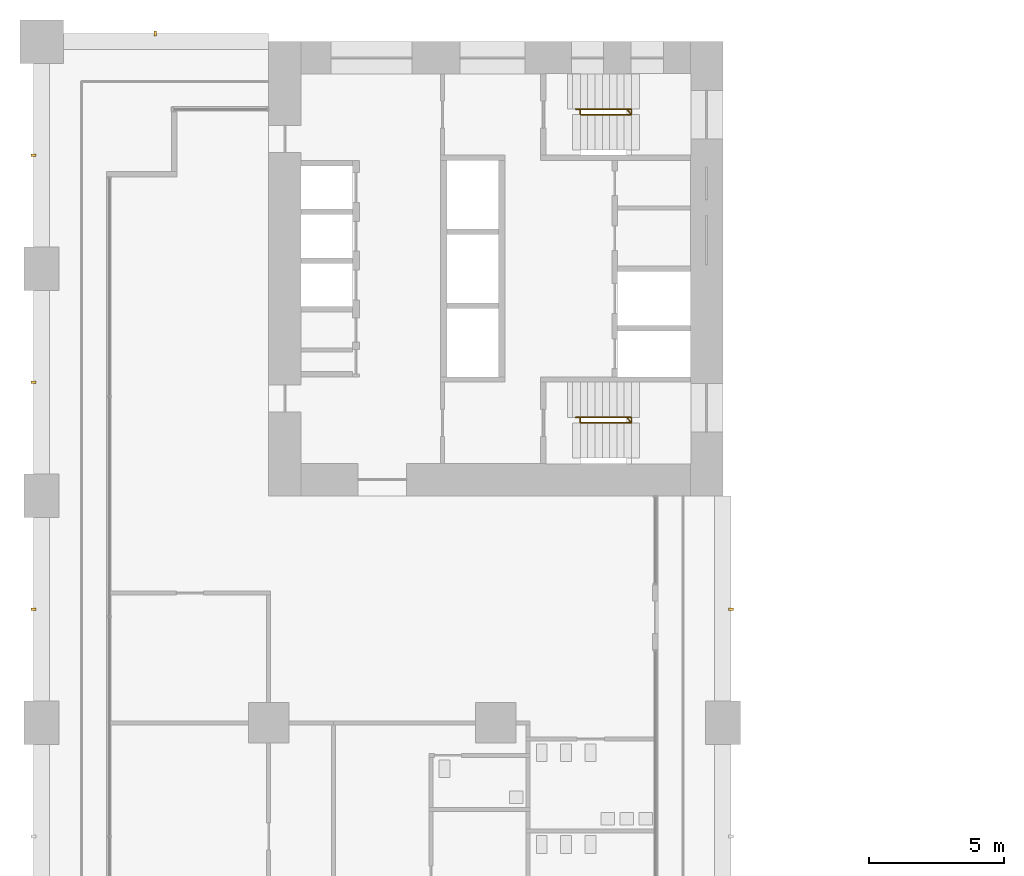
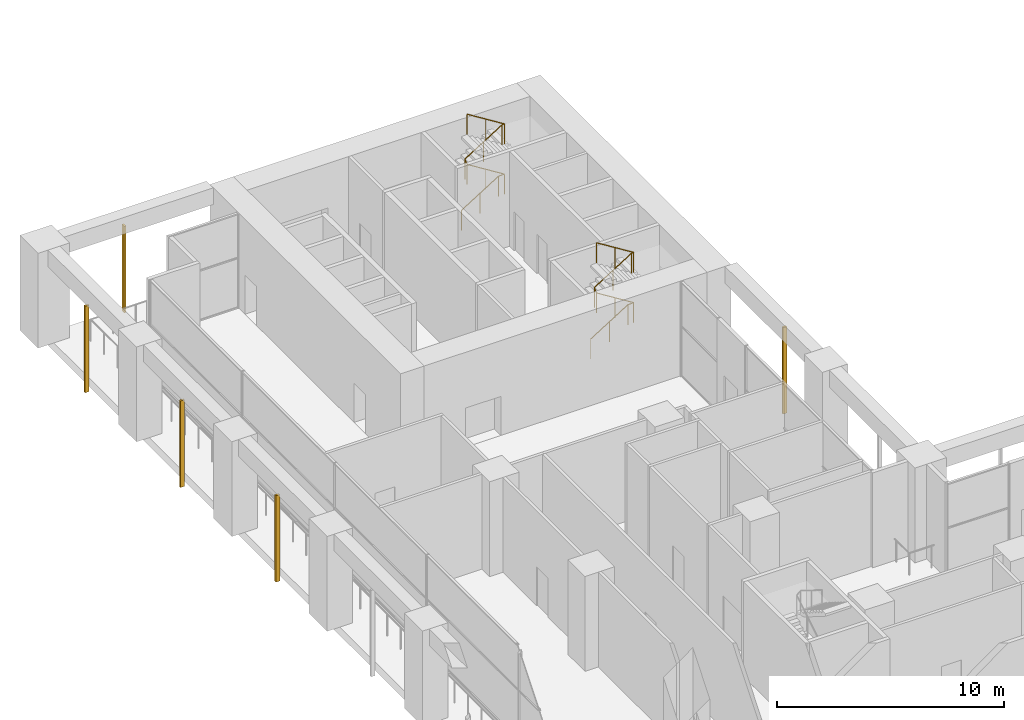
# One storey, part 29 of 33: 5 shading devices, 2 railings.
"""IFC4 building model written with IfcOpenShell, lengths in metres."""

from ifc_helpers import new_model, si_unit, direction, frame, origin, origin_2d, place, context, subcontext, project, spatial, rectangle, circle, extrude, material, material_profile, profile_set, type_object, element, save


model = new_model("IFC4")

# Units and contexts
model_context = context("Model", 3, precision=1e-05, world=origin(), true_north=direction((0.0, 1.0)))
body_context = subcontext(model_context, "Body", "Model", "MODEL_VIEW")
ifc_project = project(units=[si_unit("LENGTHUNIT", "METRE"), si_unit("AREAUNIT", "SQUARE_METRE"), si_unit("VOLUMEUNIT", "CUBIC_METRE"), si_unit("PLANEANGLEUNIT", "RADIAN"), si_unit("MASSUNIT", "GRAM", prefix="KILO")], contexts=[model_context])

# Site, building, storey
site_placement = place(None, origin())
site = spatial("IfcSite", under=ifc_project, at=site_placement, CompositionType="ELEMENT")
building_placement = place(site_placement, origin())
building = spatial("IfcBuilding", under=site, at=building_placement, Name="Vermilion Gate Residences", CompositionType="ELEMENT")
storey_placement = place(building_placement, frame((0.0, 0.0, 14.39990234375)))
storey = spatial("IfcBuildingStorey", under=building, at=storey_placement, Name="L02", CompositionType="ELEMENT", Elevation=14.39990234375)

# Railings
ifc_material_1 = material(Name="Steel S355", Category="steel")
railing_type = type_object("IfcRailingType", Name="STAIR GUARD 1100 STEEL", PredefinedType="GUARDRAIL", material=ifc_material_1)
railing_1_placement = place(storey_placement, frame((19.75, 56.300048828125, 0.1689453125)))
element("IfcRailing", 1, at=railing_1_placement, inside=storey, type_object=railing_type, Name="Stair well guard STB1-02", PredefinedType="GUARDRAIL", context=body_context, shape_type="SweptSolid", body=[
    extrude(circle(Radius=0.02392578125, at=origin_2d()), frame((0.0, 0.0, 1.076171875), z_axis=(0.848004458282, 0.0, 0.529989093033), x_axis=(0.0, 1.0, 0.0)), (0.0, 0.0, 1.0), 2.228515625),
    extrude(circle(Radius=0.02392578125, at=origin_2d()), frame((1.889892578125, 0.0, 2.25732421875), z_axis=(0.567208205734, -0.629462764899, 0.531085189921), x_axis=(0.74288808428, 0.669415636384, 0.0)), (0.0, 0.0, 1.0), 0.317626953125),
    extrude(circle(Radius=0.02392578125, at=origin_2d()), frame((2.070068359375, -0.199951171875, 2.42578125), z_axis=(-0.847985996966, 0.0, 0.530018630757), x_axis=(0.0, -1.0, 0.0)), (0.0, 0.0, 1.0), 2.22900390625),
    extrude(circle(Radius=0.02392578125, at=origin_2d()), frame((0.179931640625, -0.199951171875, 3.607421875), z_axis=(0.0, 0.764305856904, 0.644853903688), x_axis=(-1.0, 0.0, 0.0)), (0.0, 0.0, 1.0), 0.26171875),
    extrude(circle(Radius=0.02392578125, at=origin_2d()), frame((0.179931640625, 0.0, 3.77587890625), z_axis=(0.848035224522, 0.0, 0.529939862598), x_axis=(0.0, 1.0, 0.0)), (0.0, 0.0, 1.0), 2.228759765625),
    extrude(circle(Radius=0.02392578125, at=origin_2d()), frame((2.070068359375, 0.0, 4.95703125), z_axis=(0.0, -0.764305856904, 0.644853903688), x_axis=(1.0, 0.0, 0.0)), (0.0, 0.0, 1.0), 0.26171875),
    extrude(circle(Radius=0.02392578125, at=origin_2d()), frame((2.070068359375, -0.199951171875, 5.1259765625), z_axis=(-0.847985996966, 0.0, 0.530018630757), x_axis=(0.0, -1.0, 0.0)), (0.0, 0.0, 1.0), 2.22900390625),
    extrude(circle(Radius=0.02099609375, at=origin_2d()), origin(), (0.0, 0.0, 1.0), 1.052001953125),
    extrude(circle(Radius=0.02099609375, at=origin_2d()), frame((0.94482421875, 0.0, 0.590576171875)), (0.0, 0.0, 1.0), 1.052001953125),
    extrude(circle(Radius=0.02099609375, at=origin_2d()), frame((1.889892578125, 0.0, 1.18115234375)), (0.0, 0.0, 1.0), 1.052001953125),
    extrude(circle(Radius=0.02099609375, at=origin_2d()), frame((2.070068359375, -0.199951171875, 1.349853515625)), (0.0, 0.0, 1.0), 1.052001953125),
    extrude(circle(Radius=0.02099609375, at=origin_2d()), frame((1.125, -0.199951171875, 1.9404296875)), (0.0, 0.0, 1.0), 1.052001953125),
    extrude(circle(Radius=0.02099609375, at=origin_2d()), frame((0.179931640625, -0.199951171875, 2.53125)), (0.0, 0.0, 1.0), 1.052001953125),
    extrude(circle(Radius=0.02099609375, at=origin_2d()), frame((0.179931640625, 0.0, 2.699951171875)), (0.0, 0.0, 1.0), 1.052001953125),
    extrude(circle(Radius=0.02099609375, at=origin_2d()), frame((1.125, 0.0, 3.29052734375)), (0.0, 0.0, 1.0), 1.052001953125),
    extrude(circle(Radius=0.02099609375, at=origin_2d()), frame((2.070068359375, 0.0, 3.881103515625)), (0.0, 0.0, 1.0), 1.052001953125),
    extrude(circle(Radius=0.02099609375, at=origin_2d()), frame((2.070068359375, -0.199951171875, 4.0498046875)), (0.0, 0.0, 1.0), 1.052001953125),
    extrude(circle(Radius=0.02099609375, at=origin_2d()), frame((1.125, -0.199951171875, 4.640625)), (0.0, 0.0, 1.0), 1.052001953125),
    extrude(circle(Radius=0.02099609375, at=origin_2d()), frame((0.179931640625, -0.199951171875, 5.231201171875)), (0.0, 0.0, 1.0), 1.052001953125),
])
railing_2_placement = place(storey_placement, frame((19.75, 44.89990234375, 0.1689453125)))
element("IfcRailing", 2, at=railing_2_placement, inside=storey, type_object=railing_type, Name="Stair well guard STB2-02", PredefinedType="GUARDRAIL", context=body_context, shape_type="SweptSolid", body=[
    extrude(circle(Radius=0.02392578125, at=origin_2d()), frame((0.0, 0.0, 1.076171875), z_axis=(0.848004458282, 0.0, 0.529989093033), x_axis=(0.0, 1.0, 0.0)), (0.0, 0.0, 1.0), 2.228515625),
    extrude(circle(Radius=0.02392578125, at=origin_2d()), frame((1.889892578125, 0.0, 2.25732421875), z_axis=(0.567208205734, -0.629462764899, 0.531085189921), x_axis=(0.74288808428, 0.669415636384, 0.0)), (0.0, 0.0, 1.0), 0.317626953125),
    extrude(circle(Radius=0.02392578125, at=origin_2d()), frame((2.070068359375, -0.199951171875, 2.42578125), z_axis=(-0.847985996966, 0.0, 0.530018630757), x_axis=(0.0, -1.0, 0.0)), (0.0, 0.0, 1.0), 2.22900390625),
    extrude(circle(Radius=0.02392578125, at=origin_2d()), frame((0.179931640625, -0.199951171875, 3.607421875), z_axis=(0.0, 0.764305856904, 0.644853903688), x_axis=(-1.0, 0.0, 0.0)), (0.0, 0.0, 1.0), 0.26171875),
    extrude(circle(Radius=0.02392578125, at=origin_2d()), frame((0.179931640625, 0.0, 3.77587890625), z_axis=(0.848035224522, 0.0, 0.529939862598), x_axis=(0.0, 1.0, 0.0)), (0.0, 0.0, 1.0), 2.228759765625),
    extrude(circle(Radius=0.02392578125, at=origin_2d()), frame((2.070068359375, 0.0, 4.95703125), z_axis=(0.0, -0.764305856904, 0.644853903688), x_axis=(1.0, 0.0, 0.0)), (0.0, 0.0, 1.0), 0.26171875),
    extrude(circle(Radius=0.02392578125, at=origin_2d()), frame((2.070068359375, -0.199951171875, 5.1259765625), z_axis=(-0.847985996966, 0.0, 0.530018630757), x_axis=(0.0, -1.0, 0.0)), (0.0, 0.0, 1.0), 2.22900390625),
    extrude(circle(Radius=0.02099609375, at=origin_2d()), origin(), (0.0, 0.0, 1.0), 1.052001953125),
    extrude(circle(Radius=0.02099609375, at=origin_2d()), frame((0.94482421875, 0.0, 0.590576171875)), (0.0, 0.0, 1.0), 1.052001953125),
    extrude(circle(Radius=0.02099609375, at=origin_2d()), frame((1.889892578125, 0.0, 1.18115234375)), (0.0, 0.0, 1.0), 1.052001953125),
    extrude(circle(Radius=0.02099609375, at=origin_2d()), frame((2.070068359375, -0.199951171875, 1.349853515625)), (0.0, 0.0, 1.0), 1.052001953125),
    extrude(circle(Radius=0.02099609375, at=origin_2d()), frame((1.125, -0.199951171875, 1.9404296875)), (0.0, 0.0, 1.0), 1.052001953125),
    extrude(circle(Radius=0.02099609375, at=origin_2d()), frame((0.179931640625, -0.199951171875, 2.53125)), (0.0, 0.0, 1.0), 1.052001953125),
    extrude(circle(Radius=0.02099609375, at=origin_2d()), frame((0.179931640625, 0.0, 2.699951171875)), (0.0, 0.0, 1.0), 1.052001953125),
    extrude(circle(Radius=0.02099609375, at=origin_2d()), frame((1.125, 0.0, 3.29052734375)), (0.0, 0.0, 1.0), 1.052001953125),
    extrude(circle(Radius=0.02099609375, at=origin_2d()), frame((2.070068359375, 0.0, 3.881103515625)), (0.0, 0.0, 1.0), 1.052001953125),
    extrude(circle(Radius=0.02099609375, at=origin_2d()), frame((2.070068359375, -0.199951171875, 4.0498046875)), (0.0, 0.0, 1.0), 1.052001953125),
    extrude(circle(Radius=0.02099609375, at=origin_2d()), frame((1.125, -0.199951171875, 4.640625)), (0.0, 0.0, 1.0), 1.052001953125),
    extrude(circle(Radius=0.02099609375, at=origin_2d()), frame((0.179931640625, -0.199951171875, 5.231201171875)), (0.0, 0.0, 1.0), 1.052001953125),
])

# Shading devices
ifc_material_2 = material(Name="Extruded terracotta", Category="masonry")
ifc_material_profile = material_profile(ifc_material_2, rectangle(XDim=0.199951171875, YDim=0.10009765625, at=origin_2d()), Name="BAGUETTE 100 X 200")
ifc_profile_set = profile_set([ifc_material_profile], Name="Extruded terracotta")
shading_device_type = type_object("IfcShadingDeviceType", Name="TERRACOTTA BAGUETTE 100 X 200", PredefinedType="JALOUSIE", material=ifc_profile_set)
for number, where, z_axis, x_axis, name in (
    (3, (25.5, 37.800048828125, -0.449951171875), (0.0, 0.0, 1.0), (-1.0, 0.0, 0.0), "BAGUETTE"),
    (4, (4.199951171875, 59.10009765625, -0.449951171875), (0.0, 0.0, 1.0), (0.0, -1.0, 0.0), "BAGUETTE"),
    (5, (-0.300048828125, 37.800048828125, -0.449951171875), (0.0, 0.0, 1.0), (1.0, 0.0, 0.0), "BAGUETTE"),
    (6, (-0.300048828125, 46.199951171875, -0.449951171875), (0.0, 0.0, 1.0), (1.0, 0.0, 0.0), "BAGUETTE"),
    (7, (-0.300048828125, 54.60009765625, -0.449951171875), (0.0, 0.0, 1.0), (1.0, 0.0, 0.0), "BAGUETTE"),
):
    element("IfcShadingDevice", number, at=place(storey_placement, frame(where, z_axis=z_axis, x_axis=x_axis)), inside=storey, type_object=shading_device_type, Name=name, PredefinedType="JALOUSIE", context=body_context, shape_type="SweptSolid", body=[
        extrude(rectangle(XDim=0.199951171875, YDim=0.10009765625, at=origin_2d()), origin(), (0.0, 0.0, 1.0), 4.650146484375),
    ])

save(model, "model.ifc")
